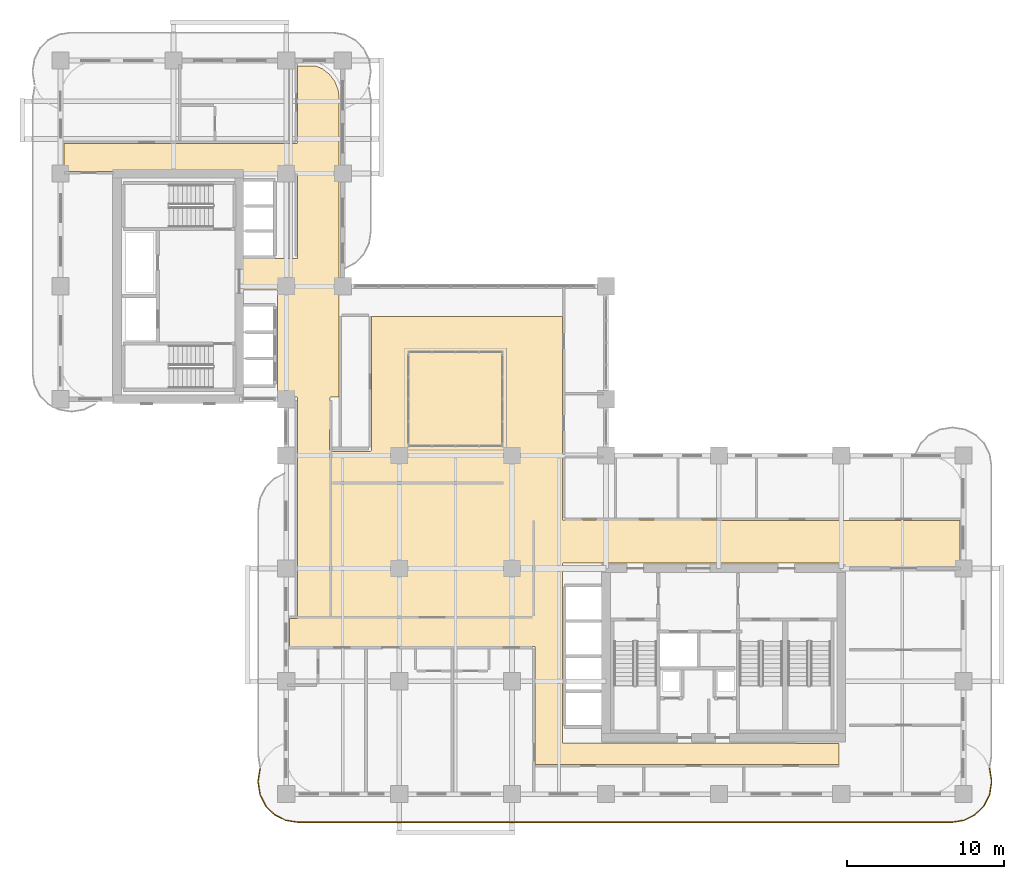
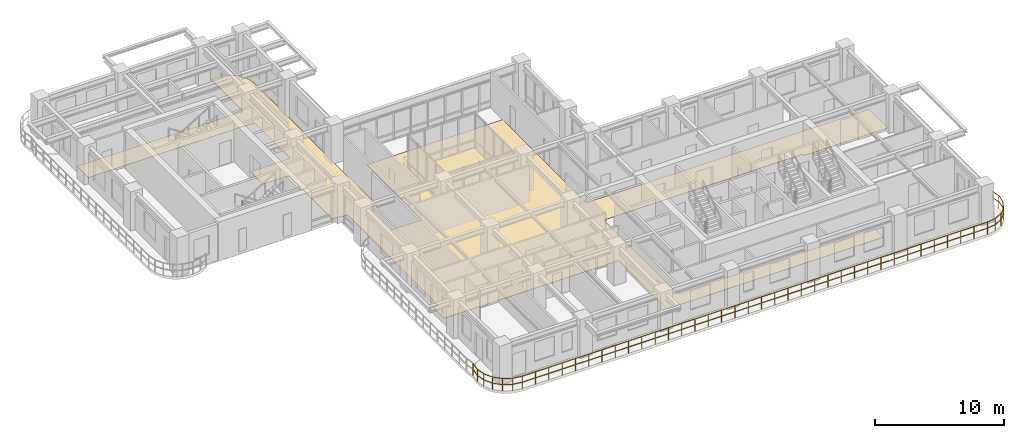
# One storey, part 19 of 22: 1 covering, 1 railing.
"""IFC4 building model written with IfcOpenShell, lengths in metres."""

from ifc_helpers import new_model, si_unit, derived_unit, direction, frame, origin, origin_2d, place, context, subcontext, project, spatial, polyline, rectangle, outline, extrude, material, layer, layer_set, type_object, element, save


model = new_model("IFC4")

# Units and contexts
model_context = context("Model", 3, precision=1e-05, world=origin(), true_north=direction((0.0, 1.0)))
body_context = subcontext(model_context, "Body", "Model", "MODEL_VIEW")
ifc_project = project(units=[si_unit("LENGTHUNIT", "METRE"), si_unit("AREAUNIT", "SQUARE_METRE"), si_unit("VOLUMEUNIT", "CUBIC_METRE"), si_unit("PLANEANGLEUNIT", "RADIAN"), si_unit("MASSUNIT", "GRAM", prefix="KILO"), si_unit("THERMODYNAMICTEMPERATUREUNIT", "KELVIN"), si_unit("POWERUNIT", "WATT"), derived_unit("THERMALTRANSMITTANCEUNIT", [(si_unit("POWERUNIT", "WATT"), 1), (si_unit("AREAUNIT", "SQUARE_METRE"), -1), (si_unit("THERMODYNAMICTEMPERATUREUNIT", "KELVIN"), -1)])], contexts=[model_context])

# Site, building, storey
site_placement = place(None, origin())
site = spatial("IfcSite", under=ifc_project, at=site_placement, CompositionType="ELEMENT")
building_placement = place(site_placement, origin())
building = spatial("IfcBuilding", under=site, at=building_placement, Name="Zahravan Archway Hotel and Residences", CompositionType="ELEMENT")
storey_placement = place(building_placement, frame((0.0, 0.0, 73.10009765625)))
storey = spatial("IfcBuildingStorey", under=building, at=storey_placement, Name="L17", CompositionType="ELEMENT", Elevation=73.10009765625)

# Covering
ifc_material_1 = material(Name="Engineered Walnut Parquet Flooring")
ifc_layer = layer(ifc_material_1, 0.02197265625, Name="Engineered Walnut Parquet Flooring")
ifc_layer_set = layer_set([ifc_layer], Name="Engineered Walnut Parquet Flooring")
covering_type = type_object("IfcCoveringType", Name="COV-FLR-TIMB", PredefinedType="FLOORING", material=ifc_layer_set)
covering_placement = place(storey_placement, origin())
element("IfcCovering", 1, at=covering_placement, inside=storey, type_object=covering_type, Name="L17 Circulation Floor Finish", PredefinedType="FLOORING", context=body_context, shape_type="SweptSolid", body=[
    extrude(outline(polyline([(30.280029296875, 1.8798828125), (30.280029296875, 9.35009765625), (30.2666015625, 9.394287109375), (30.230712890625, 9.423828125), (14.6201171875, 9.429931640625), (14.6201171875, 11.18994140625), (15.050048828125, 11.18994140625), (15.094482421875, 11.20361328125), (15.123779296875, 11.239501953125), (15.1298828125, 25.25), (15.116455078125, 25.29443359375), (15.08056640625, 25.323974609375), (14.5771484375, 25.330078125), (14.53955078125, 25.3701171875), (14.503662109375, 25.39404296875), (14.4638671875, 25.410400390625), (14.421630859375, 25.4189453125), (13.830078125, 25.419921875), (13.830078125, 32.10009765625), (13.81640625, 32.144287109375), (13.780517578125, 32.173828125), (11.530029296875, 32.179931640625), (11.530029296875, 34.169921875), (15.050048828125, 34.169921875), (15.094482421875, 34.18359375), (15.123779296875, 34.219482421875), (15.1298828125, 39.64990234375), (15.116455078125, 39.6943359375), (15.08056640625, 39.723876953125), (0.22998046875, 39.72998046875), (0.22998046875, 41.52001953125), (15.050048828125, 41.52001953125), (15.094482421875, 41.533447265625), (15.123779296875, 41.5693359375), (15.1298828125, 46.469970703125), (16.24560546875, 46.469970703125), (16.689208984375, 46.286376953125), (17.14013671875, 45.940185546875), (17.486328125, 45.489013671875), (17.703857421875, 44.9638671875), (17.77001953125, 44.46142578125), (17.77001953125, 25.330078125), (17.25, 25.330078125), (17.20556640625, 25.31640625), (17.176025390625, 25.280517578125), (17.169921875, 21.949951171875), (17.18359375, 21.905517578125), (17.219482421875, 21.876220703125), (19.75, 21.8701171875), (19.79443359375, 21.883544921875), (19.823974609375, 21.91943359375), (19.830078125, 30.469970703125), (32.02001953125, 30.469970703125), (32.02001953125, 17.550048828125), (32.033447265625, 17.505615234375), (32.0693359375, 17.47607421875), (57.3798828125, 17.469970703125), (57.3798828125, 14.530029296875), (49.830078125, 14.530029296875), (49.830078125, 14.675048828125), (49.81640625, 14.719482421875), (49.780517578125, 14.748779296875), (32.10009765625, 14.7548828125), (32.0556640625, 14.741455078125), (32.026123046875, 14.70556640625), (32.02001953125, 3.324951171875), (32.033447265625, 3.280517578125), (32.0693359375, 3.251220703125), (49.669921875, 3.2451171875), (49.669921875, 1.8798828125), (30.280029296875, 1.8798828125)])), origin(), (0.0, 0.0, 1.0), 0.02197265625),
])

# Railing
ifc_material_2 = material(Name="Bronze & Laminated Glass Balustrade", Category="glass")
railing_type = type_object("IfcRailingType", Name="RL-BAL-1200", PredefinedType="BALUSTRADE", material=ifc_material_2)
railing_placement = place(storey_placement, frame((59.275146484375, 1.637939453125, 0.0)))
element("IfcRailing", 2, at=railing_placement, inside=storey, type_object=railing_type, Name="L17 Balustrade RL-SLB-BAL-L17-SA-1", PredefinedType="BALUSTRADE", context=body_context, shape_type="SweptSolid", body=[
    extrude(rectangle(XDim=0.048095703125, YDim=0.048095703125, at=origin_2d()), frame((0.0, 0.0, 1.17578125), z_axis=(0.156402639467, -0.987693380745, 0.0), x_axis=(0.987693380745, 0.156402639467, 0.0)), (0.0, 0.0, 1.0), 0.797607421875),
    extrude(rectangle(XDim=0.048095703125, YDim=0.048095703125, at=origin_2d()), frame((0.0, 0.0, 0.60009765625), z_axis=(0.156402639467, -0.987693380745, 0.0), x_axis=(0.987693380745, 0.156402639467, 0.0)), (0.0, 0.0, 1.0), 0.797607421875),
    extrude(rectangle(XDim=0.048095703125, YDim=0.048095703125, at=origin_2d()), frame((0.124755859375, -0.787841796875, 1.17578125), z_axis=(0.0, -1.0, 0.0), x_axis=(1.0, 0.0, 0.0)), (0.0, 0.0, 1.0), 0.10009765625),
    extrude(rectangle(XDim=0.048095703125, YDim=0.048095703125, at=origin_2d()), frame((0.124755859375, -0.787841796875, 0.60009765625), z_axis=(0.0, -1.0, 0.0), x_axis=(1.0, 0.0, 0.0)), (0.0, 0.0, 1.0), 0.10009765625),
    extrude(rectangle(XDim=0.048095703125, YDim=0.048095703125, at=origin_2d()), frame((0.124755859375, -0.887939453125, 1.17578125), z_axis=(-0.156355372278, -0.987700864412, 0.0), x_axis=(0.987700864412, -0.156355372278, 0.0)), (0.0, 0.0, 1.0), 0.7978515625),
    extrude(rectangle(XDim=0.048095703125, YDim=0.048095703125, at=origin_2d()), frame((0.124755859375, -0.887939453125, 0.60009765625), z_axis=(-0.156355372278, -0.987700864412, 0.0), x_axis=(0.987700864412, -0.156355372278, 0.0)), (0.0, 0.0, 1.0), 0.7978515625),
    extrude(rectangle(XDim=0.048095703125, YDim=0.048095703125, at=origin_2d()), frame((0.0, -1.676025390625, 1.17578125), z_axis=(-0.453934952053, -0.891034824967, 0.0), x_axis=(0.891034824967, -0.453934952053, 0.0)), (0.0, 0.0, 1.0), 0.797607421875),
    extrude(rectangle(XDim=0.048095703125, YDim=0.048095703125, at=origin_2d()), frame((0.0, -1.676025390625, 0.60009765625), z_axis=(-0.453934952053, -0.891034824967, 0.0), x_axis=(0.891034824967, -0.453934952053, 0.0)), (0.0, 0.0, 1.0), 0.797607421875),
    extrude(rectangle(XDim=0.048095703125, YDim=0.048095703125, at=origin_2d()), frame((-0.362060546875, -2.38671875, 1.17578125), z_axis=(-0.707106781187, -0.707106781187, 0.0), x_axis=(0.707106781187, -0.707106781187, 0.0)), (0.0, 0.0, 1.0), 0.7978515625),
    extrude(rectangle(XDim=0.048095703125, YDim=0.048095703125, at=origin_2d()), frame((-0.362060546875, -2.38671875, 0.60009765625), z_axis=(-0.707106781187, -0.707106781187, 0.0), x_axis=(0.707106781187, -0.707106781187, 0.0)), (0.0, 0.0, 1.0), 0.7978515625),
    extrude(rectangle(XDim=0.048095703125, YDim=0.048095703125, at=origin_2d()), frame((-0.92626953125, -2.950927734375, 1.17578125), z_axis=(-0.890974108706, -0.454054113091, 0.0), x_axis=(0.454054113091, -0.890974108706, 0.0)), (0.0, 0.0, 1.0), 0.7978515625),
    extrude(rectangle(XDim=0.048095703125, YDim=0.048095703125, at=origin_2d()), frame((-0.92626953125, -2.950927734375, 0.60009765625), z_axis=(-0.890974108706, -0.454054113091, 0.0), x_axis=(0.454054113091, -0.890974108706, 0.0)), (0.0, 0.0, 1.0), 0.7978515625),
    extrude(rectangle(XDim=0.048095703125, YDim=0.048095703125, at=origin_2d()), frame((-1.63720703125, -3.313232421875, 1.17578125), z_axis=(-0.987693380745, -0.156402639467, 0.0), x_axis=(0.156402639467, -0.987693380745, 0.0)), (0.0, 0.0, 1.0), 0.797607421875),
    extrude(rectangle(XDim=0.048095703125, YDim=0.048095703125, at=origin_2d()), frame((-1.63720703125, -3.313232421875, 0.60009765625), z_axis=(-0.987693380745, -0.156402639467, 0.0), x_axis=(0.156402639467, -0.987693380745, 0.0)), (0.0, 0.0, 1.0), 0.797607421875),
    extrude(rectangle(XDim=0.048095703125, YDim=0.048095703125, at=origin_2d()), frame((-2.425048828125, -3.43798828125, 1.17578125), z_axis=(-1.0, 0.0, 0.0), x_axis=(0.0, -1.0, 0.0)), (0.0, 0.0, 1.0), 41.7001953125),
    extrude(rectangle(XDim=0.048095703125, YDim=0.048095703125, at=origin_2d()), frame((-2.425048828125, -3.43798828125, 0.60009765625), z_axis=(-1.0, 0.0, 0.0), x_axis=(0.0, -1.0, 0.0)), (0.0, 0.0, 1.0), 41.7001953125),
    extrude(rectangle(XDim=0.048095703125, YDim=0.048095703125, at=origin_2d()), frame((-44.125244140625, -3.43798828125, 1.17578125), z_axis=(-0.987693380745, 0.156402639467, 0.0), x_axis=(-0.156402639467, -0.987693380745, 0.0)), (0.0, 0.0, 1.0), 0.797607421875),
    extrude(rectangle(XDim=0.048095703125, YDim=0.048095703125, at=origin_2d()), frame((-44.125244140625, -3.43798828125, 0.60009765625), z_axis=(-0.987693380745, 0.156402639467, 0.0), x_axis=(-0.156402639467, -0.987693380745, 0.0)), (0.0, 0.0, 1.0), 0.797607421875),
    extrude(rectangle(XDim=0.048095703125, YDim=0.048095703125, at=origin_2d()), frame((-44.9130859375, -3.313232421875, 1.17578125), z_axis=(-0.890974108706, 0.454054113091, 0.0), x_axis=(-0.454054113091, -0.890974108706, 0.0)), (0.0, 0.0, 1.0), 0.7978515625),
    extrude(rectangle(XDim=0.048095703125, YDim=0.048095703125, at=origin_2d()), frame((-44.9130859375, -3.313232421875, 0.60009765625), z_axis=(-0.890974108706, 0.454054113091, 0.0), x_axis=(-0.454054113091, -0.890974108706, 0.0)), (0.0, 0.0, 1.0), 0.7978515625),
    extrude(rectangle(XDim=0.048095703125, YDim=0.048095703125, at=origin_2d()), frame((-45.6240234375, -2.950927734375, 1.17578125), z_axis=(-0.707106781187, 0.707106781187, 0.0), x_axis=(-0.707106781187, -0.707106781187, 0.0)), (0.0, 0.0, 1.0), 0.7978515625),
    extrude(rectangle(XDim=0.048095703125, YDim=0.048095703125, at=origin_2d()), frame((-45.6240234375, -2.950927734375, 0.60009765625), z_axis=(-0.707106781187, 0.707106781187, 0.0), x_axis=(-0.707106781187, -0.707106781187, 0.0)), (0.0, 0.0, 1.0), 0.7978515625),
    extrude(rectangle(XDim=0.048095703125, YDim=0.048095703125, at=origin_2d()), frame((-46.188232421875, -2.38671875, 1.17578125), z_axis=(-0.453934952053, 0.891034824967, 0.0), x_axis=(-0.891034824967, -0.453934952053, 0.0)), (0.0, 0.0, 1.0), 0.797607421875),
    extrude(rectangle(XDim=0.048095703125, YDim=0.048095703125, at=origin_2d()), frame((-46.188232421875, -2.38671875, 0.60009765625), z_axis=(-0.453934952053, 0.891034824967, 0.0), x_axis=(-0.891034824967, -0.453934952053, 0.0)), (0.0, 0.0, 1.0), 0.797607421875),
    extrude(rectangle(XDim=0.048095703125, YDim=0.048095703125, at=origin_2d()), frame((-46.55029296875, -1.676025390625, 1.17578125), z_axis=(-0.156355372278, 0.987700864412, 0.0), x_axis=(-0.987700864412, -0.156355372278, 0.0)), (0.0, 0.0, 1.0), 0.7978515625),
    extrude(rectangle(XDim=0.048095703125, YDim=0.048095703125, at=origin_2d()), frame((-46.55029296875, -1.676025390625, 0.60009765625), z_axis=(-0.156355372278, 0.987700864412, 0.0), x_axis=(-0.987700864412, -0.156355372278, 0.0)), (0.0, 0.0, 1.0), 0.7978515625),
    extrude(rectangle(XDim=0.048095703125, YDim=0.048095703125, at=origin_2d()), frame((-46.675048828125, -0.887939453125, 1.17578125), z_axis=(0.0, 1.0, 0.0), x_axis=(-1.0, 0.0, 0.0)), (0.0, 0.0, 1.0), 0.10009765625),
    extrude(rectangle(XDim=0.048095703125, YDim=0.048095703125, at=origin_2d()), frame((-46.675048828125, -0.887939453125, 0.60009765625), z_axis=(0.0, 1.0, 0.0), x_axis=(-1.0, 0.0, 0.0)), (0.0, 0.0, 1.0), 0.10009765625),
    extrude(rectangle(XDim=0.048095703125, YDim=0.048095703125, at=origin_2d()), frame((-46.675048828125, -0.787841796875, 1.17578125), z_axis=(0.156402639467, 0.987693380745, 0.0), x_axis=(-0.987693380745, 0.156402639467, 0.0)), (0.0, 0.0, 1.0), 0.797607421875),
    extrude(rectangle(XDim=0.048095703125, YDim=0.048095703125, at=origin_2d()), frame((-46.675048828125, -0.787841796875, 0.60009765625), z_axis=(0.156402639467, 0.987693380745, 0.0), x_axis=(-0.987693380745, 0.156402639467, 0.0)), (0.0, 0.0, 1.0), 0.797607421875),
    extrude(rectangle(XDim=0.0419921875, YDim=0.0419921875, at=origin_2d()), origin(), (0.0, 0.0, 1.0), 1.15185546875),
    extrude(rectangle(XDim=0.0419921875, YDim=0.0419921875, at=origin_2d()), frame((0.124755859375, -0.787841796875, 0.0)), (0.0, 0.0, 1.0), 1.15185546875),
    extrude(rectangle(XDim=0.0419921875, YDim=0.0419921875, at=origin_2d()), frame((0.0, -1.676025390625, 0.0)), (0.0, 0.0, 1.0), 1.15185546875),
    extrude(rectangle(XDim=0.0419921875, YDim=0.0419921875, at=origin_2d()), frame((-0.362060546875, -2.38671875, 0.0)), (0.0, 0.0, 1.0), 1.15185546875),
    extrude(rectangle(XDim=0.0419921875, YDim=0.0419921875, at=origin_2d()), frame((-0.92626953125, -2.950927734375, 0.0)), (0.0, 0.0, 1.0), 1.15185546875),
    extrude(rectangle(XDim=0.0419921875, YDim=0.0419921875, at=origin_2d()), frame((-1.63720703125, -3.313232421875, 0.0)), (0.0, 0.0, 1.0), 1.15185546875),
    extrude(rectangle(XDim=0.0419921875, YDim=0.0419921875, at=origin_2d()), frame((-2.425048828125, -3.43798828125, 0.0)), (0.0, 0.0, 1.0), 1.15185546875),
    extrude(rectangle(XDim=0.0419921875, YDim=0.0419921875, at=origin_2d()), frame((-3.616455078125, -3.43798828125, 0.0)), (0.0, 0.0, 1.0), 1.15185546875),
    extrude(rectangle(XDim=0.0419921875, YDim=0.0419921875, at=origin_2d()), frame((-4.807861328125, -3.43798828125, 0.0)), (0.0, 0.0, 1.0), 1.15185546875),
    extrude(rectangle(XDim=0.0419921875, YDim=0.0419921875, at=origin_2d()), frame((-5.999267578125, -3.43798828125, 0.0)), (0.0, 0.0, 1.0), 1.15185546875),
    extrude(rectangle(XDim=0.0419921875, YDim=0.0419921875, at=origin_2d()), frame((-7.190673828125, -3.43798828125, 0.0)), (0.0, 0.0, 1.0), 1.15185546875),
    extrude(rectangle(XDim=0.0419921875, YDim=0.0419921875, at=origin_2d()), frame((-8.38232421875, -3.43798828125, 0.0)), (0.0, 0.0, 1.0), 1.15185546875),
    extrude(rectangle(XDim=0.0419921875, YDim=0.0419921875, at=origin_2d()), frame((-9.57373046875, -3.43798828125, 0.0)), (0.0, 0.0, 1.0), 1.15185546875),
    extrude(rectangle(XDim=0.0419921875, YDim=0.0419921875, at=origin_2d()), frame((-10.76513671875, -3.43798828125, 0.0)), (0.0, 0.0, 1.0), 1.15185546875),
    extrude(rectangle(XDim=0.0419921875, YDim=0.0419921875, at=origin_2d()), frame((-11.95654296875, -3.43798828125, 0.0)), (0.0, 0.0, 1.0), 1.15185546875),
    extrude(rectangle(XDim=0.0419921875, YDim=0.0419921875, at=origin_2d()), frame((-13.14794921875, -3.43798828125, 0.0)), (0.0, 0.0, 1.0), 1.15185546875),
    extrude(rectangle(XDim=0.0419921875, YDim=0.0419921875, at=origin_2d()), frame((-14.33935546875, -3.43798828125, 0.0)), (0.0, 0.0, 1.0), 1.15185546875),
    extrude(rectangle(XDim=0.0419921875, YDim=0.0419921875, at=origin_2d()), frame((-15.53076171875, -3.43798828125, 0.0)), (0.0, 0.0, 1.0), 1.15185546875),
    extrude(rectangle(XDim=0.0419921875, YDim=0.0419921875, at=origin_2d()), frame((-16.72216796875, -3.43798828125, 0.0)), (0.0, 0.0, 1.0), 1.15185546875),
    extrude(rectangle(XDim=0.0419921875, YDim=0.0419921875, at=origin_2d()), frame((-17.91357421875, -3.43798828125, 0.0)), (0.0, 0.0, 1.0), 1.15185546875),
    extrude(rectangle(XDim=0.0419921875, YDim=0.0419921875, at=origin_2d()), frame((-19.105224609375, -3.43798828125, 0.0)), (0.0, 0.0, 1.0), 1.15185546875),
    extrude(rectangle(XDim=0.0419921875, YDim=0.0419921875, at=origin_2d()), frame((-20.296630859375, -3.43798828125, 0.0)), (0.0, 0.0, 1.0), 1.15185546875),
    extrude(rectangle(XDim=0.0419921875, YDim=0.0419921875, at=origin_2d()), frame((-21.488037109375, -3.43798828125, 0.0)), (0.0, 0.0, 1.0), 1.15185546875),
    extrude(rectangle(XDim=0.0419921875, YDim=0.0419921875, at=origin_2d()), frame((-22.679443359375, -3.43798828125, 0.0)), (0.0, 0.0, 1.0), 1.15185546875),
    extrude(rectangle(XDim=0.0419921875, YDim=0.0419921875, at=origin_2d()), frame((-23.870849609375, -3.43798828125, 0.0)), (0.0, 0.0, 1.0), 1.15185546875),
    extrude(rectangle(XDim=0.0419921875, YDim=0.0419921875, at=origin_2d()), frame((-25.062255859375, -3.43798828125, 0.0)), (0.0, 0.0, 1.0), 1.15185546875),
    extrude(rectangle(XDim=0.0419921875, YDim=0.0419921875, at=origin_2d()), frame((-26.253662109375, -3.43798828125, 0.0)), (0.0, 0.0, 1.0), 1.15185546875),
    extrude(rectangle(XDim=0.0419921875, YDim=0.0419921875, at=origin_2d()), frame((-27.445068359375, -3.43798828125, 0.0)), (0.0, 0.0, 1.0), 1.15185546875),
    extrude(rectangle(XDim=0.0419921875, YDim=0.0419921875, at=origin_2d()), frame((-28.63671875, -3.43798828125, 0.0)), (0.0, 0.0, 1.0), 1.15185546875),
    extrude(rectangle(XDim=0.0419921875, YDim=0.0419921875, at=origin_2d()), frame((-29.828125, -3.43798828125, 0.0)), (0.0, 0.0, 1.0), 1.15185546875),
    extrude(rectangle(XDim=0.0419921875, YDim=0.0419921875, at=origin_2d()), frame((-31.01953125, -3.43798828125, 0.0)), (0.0, 0.0, 1.0), 1.15185546875),
    extrude(rectangle(XDim=0.0419921875, YDim=0.0419921875, at=origin_2d()), frame((-32.2109375, -3.43798828125, 0.0)), (0.0, 0.0, 1.0), 1.15185546875),
    extrude(rectangle(XDim=0.0419921875, YDim=0.0419921875, at=origin_2d()), frame((-33.40234375, -3.43798828125, 0.0)), (0.0, 0.0, 1.0), 1.15185546875),
    extrude(rectangle(XDim=0.0419921875, YDim=0.0419921875, at=origin_2d()), frame((-34.59375, -3.43798828125, 0.0)), (0.0, 0.0, 1.0), 1.15185546875),
    extrude(rectangle(XDim=0.0419921875, YDim=0.0419921875, at=origin_2d()), frame((-35.78515625, -3.43798828125, 0.0)), (0.0, 0.0, 1.0), 1.15185546875),
    extrude(rectangle(XDim=0.0419921875, YDim=0.0419921875, at=origin_2d()), frame((-36.9765625, -3.43798828125, 0.0)), (0.0, 0.0, 1.0), 1.15185546875),
    extrude(rectangle(XDim=0.0419921875, YDim=0.0419921875, at=origin_2d()), frame((-38.16796875, -3.43798828125, 0.0)), (0.0, 0.0, 1.0), 1.15185546875),
    extrude(rectangle(XDim=0.0419921875, YDim=0.0419921875, at=origin_2d()), frame((-39.359619140625, -3.43798828125, 0.0)), (0.0, 0.0, 1.0), 1.15185546875),
    extrude(rectangle(XDim=0.0419921875, YDim=0.0419921875, at=origin_2d()), frame((-40.551025390625, -3.43798828125, 0.0)), (0.0, 0.0, 1.0), 1.15185546875),
    extrude(rectangle(XDim=0.0419921875, YDim=0.0419921875, at=origin_2d()), frame((-41.742431640625, -3.43798828125, 0.0)), (0.0, 0.0, 1.0), 1.15185546875),
    extrude(rectangle(XDim=0.0419921875, YDim=0.0419921875, at=origin_2d()), frame((-42.933837890625, -3.43798828125, 0.0)), (0.0, 0.0, 1.0), 1.15185546875),
    extrude(rectangle(XDim=0.0419921875, YDim=0.0419921875, at=origin_2d()), frame((-44.125244140625, -3.43798828125, 0.0)), (0.0, 0.0, 1.0), 1.15185546875),
    extrude(rectangle(XDim=0.0419921875, YDim=0.0419921875, at=origin_2d()), frame((-44.9130859375, -3.313232421875, 0.0)), (0.0, 0.0, 1.0), 1.15185546875),
    extrude(rectangle(XDim=0.0419921875, YDim=0.0419921875, at=origin_2d()), frame((-45.6240234375, -2.950927734375, 0.0)), (0.0, 0.0, 1.0), 1.15185546875),
    extrude(rectangle(XDim=0.0419921875, YDim=0.0419921875, at=origin_2d()), frame((-46.188232421875, -2.38671875, 0.0)), (0.0, 0.0, 1.0), 1.15185546875),
    extrude(rectangle(XDim=0.0419921875, YDim=0.0419921875, at=origin_2d()), frame((-46.55029296875, -1.676025390625, 0.0)), (0.0, 0.0, 1.0), 1.15185546875),
    extrude(rectangle(XDim=0.0419921875, YDim=0.0419921875, at=origin_2d()), frame((-46.675048828125, -0.887939453125, 0.0)), (0.0, 0.0, 1.0), 1.15185546875),
    extrude(rectangle(XDim=0.0419921875, YDim=0.0419921875, at=origin_2d()), frame((-46.55029296875, 0.0, 0.0)), (0.0, 0.0, 1.0), 1.15185546875),
])

save(model, "model.ifc")
